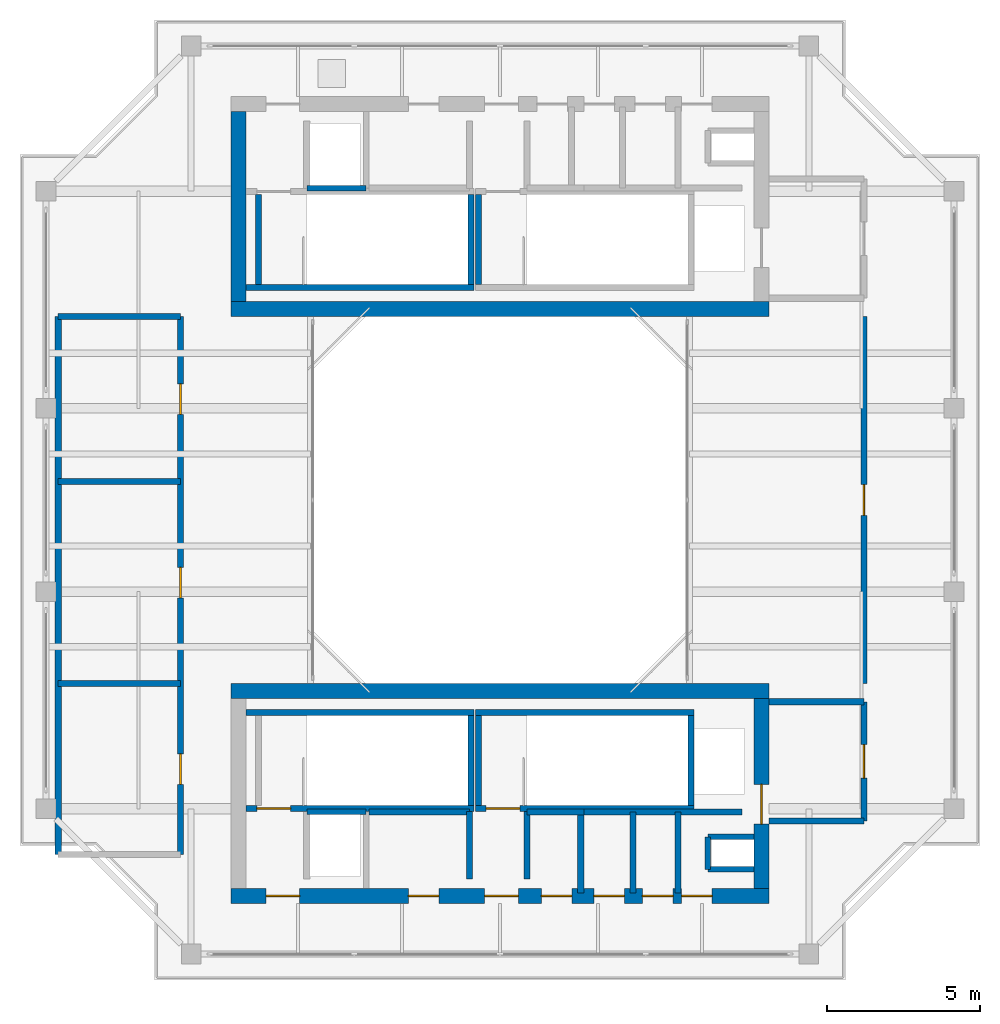
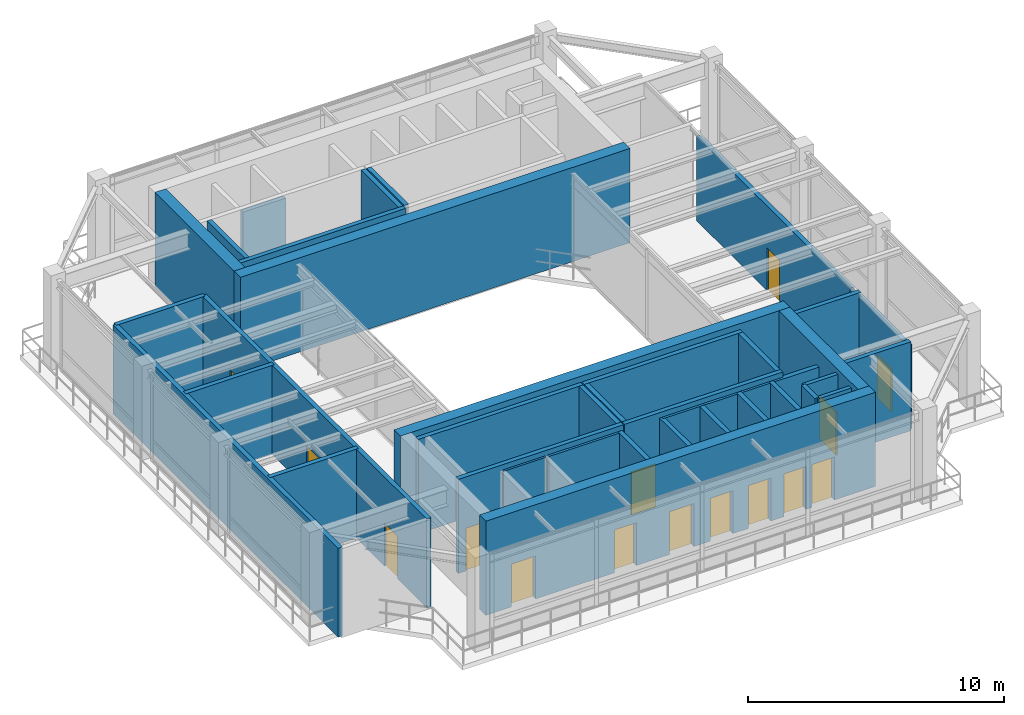
# One storey, part 7 of 9: 38 walls, 15 doors, 15 openings.
"""IFC4 building model written with IfcOpenShell, lengths in metres."""

from ifc_helpers import new_model, si_unit, direction, frame, frame_2d, origin, place, context, subcontext, project, spatial, rectangle, extrude, source, transform, mapped, material, layer, layer_set, type_object, element, fill, save


model = new_model("IFC4")

# Units and contexts
model_context = context("Model", 3, precision=1e-05, world=origin(), true_north=direction((0.0, 1.0)))
body_context = subcontext(model_context, "Body", "Model", "MODEL_VIEW")
ifc_project = project(units=[si_unit("LENGTHUNIT", "METRE"), si_unit("AREAUNIT", "SQUARE_METRE"), si_unit("VOLUMEUNIT", "CUBIC_METRE"), si_unit("PLANEANGLEUNIT", "RADIAN"), si_unit("MASSUNIT", "GRAM", prefix="KILO"), si_unit("THERMODYNAMICTEMPERATUREUNIT", "KELVIN"), si_unit("POWERUNIT", "WATT")], contexts=[model_context])

# Site, building, storey
site_placement = place(None, origin())
site = spatial("IfcSite", under=ifc_project, at=site_placement, CompositionType="ELEMENT")
building_placement = place(site_placement, origin())
building = spatial("IfcBuilding", under=site, at=building_placement, Name="Qiaomeng Ring Towers", CompositionType="ELEMENT")
storey_placement = place(building_placement, frame((0.0, 0.0, 263.25)))
storey = spatial("IfcBuildingStorey", under=building, at=storey_placement, Name="L77", CompositionType="ELEMENT", Elevation=263.25)

# Walls
ifc_material_1 = material(Name="Autoclaved aerated concrete block", Category="concrete")
ifc_layer_1 = layer(ifc_material_1, 0.199951171875, Name="Autoclaved aerated concrete block")
ifc_layer_set_1 = layer_set([ifc_layer_1], Name="Autoclaved aerated concrete block")
wall_type_1 = type_object("IfcWallType", Name="ARC-WL-PW1", PredefinedType="PARTITIONING", material=ifc_layer_set_1)
for number, where, z_axis, x_axis, name in (
    (1, (27.800048828125, 16.39990234375, 0.0), (0.0, 0.0, 1.0), (1.0, 0.0, 0.0), "L77 Interior Wall PW1"),
    (2, (27.800048828125, 12.5, 0.0), (0.0, 0.0, 1.0), (1.0, 0.0, 0.0), "L77 Interior Wall PW1"),
):
    element("IfcWall", number, at=place(storey_placement, frame(where, z_axis=z_axis, x_axis=x_axis)), inside=storey, type_object=wall_type_1, Name=name, PredefinedType="PARTITIONING", context=body_context, shape_type="SweptSolid", body=[
        extrude(rectangle(XDim=3.099853515625, YDim=0.199951171875, at=frame_2d((1.5498046875, 0.0))), origin(), (0.0, 0.0, 1.0), 4.25),
    ])

# Wall, opening, door
wall_1_placement = place(storey_placement, frame((30.89990234375, 12.5, 0.0), z_axis=(0.0, 0.0, 1.0), x_axis=(0.0, 1.0, 0.0)))
wall_1 = element("IfcWall", 3, at=wall_1_placement, inside=storey, type_object=wall_type_1, Name="L77 Interior Wall PW1", PredefinedType="PARTITIONING", context=body_context, shape_type="SweptSolid", body=[
    extrude(rectangle(XDim=3.89990234375, YDim=0.199951171875, at=frame_2d((1.949951171875, 0.0))), origin(), (0.0, 0.0, 1.0), 4.044921875),
])
opening_1_placement = place(wall_1_placement, frame((1.39990234375, 0.0, 0.0)))
opening_1 = element("IfcOpeningElement", 4, at=opening_1_placement, cuts=wall_1, Name="Opening FD3", PredefinedType="OPENING", context=body_context, shape_type="SweptSolid", body=[
    extrude(rectangle(XDim=1.10009765625, YDim=2.050048828125, at=frame_2d((0.550048828125, 1.02490234375))), frame((0.0, 0.10986328125, 0.0), z_axis=(0.0, -1.0, 0.0), x_axis=(1.0, 0.0, 0.0)), (0.0, 0.0, 1.0), 0.219970703125),
])
ifc_material_2 = material(Name="Galvanised steel", Category="steel")
door_type_1 = type_object("IfcDoorType", Name="ARC-DR-FD3", OperationType="NOTDEFINED", PredefinedType="DOOR", material=ifc_material_2)
shared_shape_1 = source(origin(), body_context, "Body", "SweptSolid", [
    extrude(rectangle(XDim=1.10009765625, YDim=2.050048828125, at=frame_2d((0.550048828125, 1.02490234375))), frame((0.0, 0.02490234375, 0.0), z_axis=(0.0, -1.0, 0.0), x_axis=(1.0, 0.0, 0.0)), (0.0, 0.0, 1.0), 0.050048828125),
])
door_1_placement = place(opening_1_placement, origin())
door_1 = element("IfcDoor", 5, at=door_1_placement, inside=storey, type_object=door_type_1, Name="L77 South FF Lobby Door", OperationType="SINGLE_SWING_RIGHT", OverallHeight=2.050048828125, OverallWidth=1.10009765625, PredefinedType="DOOR", context=body_context, shape_type="MappedRepresentation", body=[
    mapped(shared_shape_1, transform((0.0, 0.0, 0.0), x_axis=(1.0, 0.0, 0.0), y_axis=(0.0, 1.0, 0.0), z_axis=(0.0, 0.0, 1.0), scale=1.0)),
])
fill(opening_1, door_1)

# Walls
for number, where, z_axis, x_axis, name in (
    (6, (18.0, 10.60009765625, 0.0), (0.0, 0.0, 1.0), (0.0, 1.0, 0.0), "L77 Interior Wall PW1"),
    (7, (19.8798828125, 10.60009765625, 0.0), (0.0, 0.0, 1.0), (0.0, 1.0, 0.0), "L77 Interior Wall PW1"),
):
    element("IfcWall", number, at=place(storey_placement, frame(where, z_axis=z_axis, x_axis=x_axis)), inside=storey, type_object=wall_type_1, Name=name, PredefinedType="PARTITIONING", context=body_context, shape_type="SweptSolid", body=[
        extrude(rectangle(XDim=2.2099609375, YDim=0.199951171875, at=frame_2d((1.10498046875, 0.0))), origin(), (0.0, 0.0, 1.0), 4.25),
    ])
wall_2_placement = place(storey_placement, frame((14.719970703125, 12.800048828125, 0.0), z_axis=(0.0, 0.0, 1.0), x_axis=(1.0, 0.0, 0.0)))
element("IfcWall", 8, at=wall_2_placement, inside=storey, type_object=wall_type_1, Name="L77 Interior Wall PW1", PredefinedType="PARTITIONING", context=body_context, shape_type="SweptSolid", body=[
    extrude(rectangle(XDim=3.280029296875, YDim=0.199951171875, at=frame_2d((1.64013671875, 0.0))), origin(), (0.0, 0.0, 1.0), 4.25),
])
wall_3_placement = place(storey_placement, frame((24.820068359375, 10.14990234375, 0.0), z_axis=(0.0, 0.0, 1.0), x_axis=(0.0, 1.0, 0.0)))
element("IfcWall", 9, at=wall_3_placement, inside=storey, type_object=wall_type_1, Name="L77 Interior Wall PW1", PredefinedType="PARTITIONING", context=body_context, shape_type="SweptSolid", body=[
    extrude(rectangle(XDim=2.650146484375, YDim=0.199951171875, at=frame_2d((1.3251953125, 0.0))), origin(), (0.0, 0.0, 1.0), 4.25),
])
wall_4_placement = place(storey_placement, frame((19.8798828125, 12.800048828125, 0.0), z_axis=(0.0, 0.0, 1.0), x_axis=(1.0, 0.0, 0.0)))
element("IfcWall", 10, at=wall_4_placement, inside=storey, type_object=wall_type_1, Name="L77 Interior Wall PW1", PredefinedType="PARTITIONING", context=body_context, shape_type="SweptSolid", body=[
    extrude(rectangle(XDim=1.8701171875, YDim=0.199951171875, at=frame_2d((0.93505859375, 0.0))), origin(), (0.0, 0.0, 1.0), 4.25),
])
for number, where, z_axis, x_axis, name in (
    (11, (21.639892578125, 10.14990234375, 0.0), (0.0, 0.0, 1.0), (0.0, 1.0, 0.0), "L77 Interior Wall PW1"),
    (12, (23.35009765625, 10.14990234375, 0.0), (0.0, 0.0, 1.0), (0.0, 1.0, 0.0), "L77 Interior Wall PW1"),
):
    element("IfcWall", number, at=place(storey_placement, frame(where, z_axis=z_axis, x_axis=x_axis)), inside=storey, type_object=wall_type_1, Name=name, PredefinedType="PARTITIONING", context=body_context, shape_type="SweptSolid", body=[
        extrude(rectangle(XDim=2.650146484375, YDim=0.199951171875, at=frame_2d((1.3251953125, 0.0))), origin(), (0.0, 0.0, 1.0), 4.25),
    ])
wall_5_placement = place(storey_placement, frame((21.75, 12.800048828125, 0.0), z_axis=(0.0, 0.0, 1.0), x_axis=(1.0, 0.0, 0.0)))
element("IfcWall", 13, at=wall_5_placement, inside=storey, type_object=wall_type_1, Name="L77 Interior Wall PW1", PredefinedType="PARTITIONING", context=body_context, shape_type="SweptSolid", body=[
    extrude(rectangle(XDim=5.169921875, YDim=0.199951171875, at=frame_2d((2.5849609375, 0.0))), origin(), (0.0, 0.0, 1.0), 4.25),
])

# Wall, openings, doors
wall_6_placement = place(storey_placement, frame((8.550048828125, 11.39990234375, 0.0), z_axis=(0.0, 0.0, 1.0), x_axis=(0.0, 1.0, 0.0)))
wall_6 = element("IfcWall", 14, at=wall_6_placement, inside=storey, type_object=wall_type_1, Name="L77 Interior Wall PW1", PredefinedType="PARTITIONING", context=body_context, shape_type="SweptSolid", body=[
    extrude(rectangle(XDim=17.60009765625, YDim=0.199951171875, at=frame_2d((8.800048828125, 0.0))), origin(), (0.0, 0.0, 1.0), 4.25),
])
opening_2_placement = place(wall_6_placement, frame((8.39990234375, 0.0, 0.0)))
opening_2 = element("IfcOpeningElement", 15, at=opening_2_placement, cuts=wall_6, Name="Opening FD1", PredefinedType="OPENING", context=body_context, shape_type="SweptSolid", body=[
    extrude(rectangle(XDim=1.0, YDim=2.050048828125, at=frame_2d((0.5, 1.02490234375))), frame((0.0, 0.10986328125, 0.0), z_axis=(0.0, -1.0, 0.0), x_axis=(1.0, 0.0, 0.0)), (0.0, 0.0, 1.0), 0.219970703125),
])
opening_3_placement = place(wall_6_placement, frame((14.39990234375, 0.0, 0.0)))
opening_3 = element("IfcOpeningElement", 16, at=opening_3_placement, cuts=wall_6, Name="Opening FD1", PredefinedType="OPENING", context=body_context, shape_type="SweptSolid", body=[
    extrude(rectangle(XDim=1.0, YDim=2.050048828125, at=frame_2d((0.5, 1.02490234375))), frame((0.0, 0.10986328125, 0.0), z_axis=(0.0, -1.0, 0.0), x_axis=(1.0, 0.0, 0.0)), (0.0, 0.0, 1.0), 0.219970703125),
])
opening_4_placement = place(wall_6_placement, frame((2.300048828125, 0.0, 0.0)))
opening_4 = element("IfcOpeningElement", 17, at=opening_4_placement, cuts=wall_6, Name="Opening FD1", PredefinedType="OPENING", context=body_context, shape_type="SweptSolid", body=[
    extrude(rectangle(XDim=1.0, YDim=2.050048828125, at=frame_2d((0.5, 1.02490234375))), frame((0.0, 0.10986328125, 0.0), z_axis=(0.0, -1.0, 0.0), x_axis=(1.0, 0.0, 0.0)), (0.0, 0.0, 1.0), 0.219970703125),
])
door_type_2 = type_object("IfcDoorType", Name="ARC-DR-FD1", OperationType="NOTDEFINED", PredefinedType="DOOR", material=ifc_material_2)
shared_shape_2 = source(origin(), body_context, "Body", "SweptSolid", [
    extrude(rectangle(XDim=1.0, YDim=2.050048828125, at=frame_2d((0.5, 1.02490234375))), frame((0.0, 0.02490234375, 0.0), z_axis=(0.0, -1.0, 0.0), x_axis=(1.0, 0.0, 0.0)), (0.0, 0.0, 1.0), 0.050048828125),
])
door_2_placement = place(opening_2_placement, origin())
door_2 = element("IfcDoor", 18, at=door_2_placement, inside=storey, type_object=door_type_2, Name="L77 Door FD1", OperationType="SINGLE_SWING_LEFT", OverallHeight=2.050048828125, OverallWidth=1.0, PredefinedType="DOOR", context=body_context, shape_type="MappedRepresentation", body=[
    mapped(shared_shape_2, transform((0.0, 0.0, 0.0), x_axis=(1.0, 0.0, 0.0), y_axis=(0.0, 1.0, 0.0), z_axis=(0.0, 0.0, 1.0), scale=1.0)),
])
fill(opening_2, door_2)
door_3_placement = place(opening_3_placement, origin())
door_3 = element("IfcDoor", 19, at=door_3_placement, inside=storey, type_object=door_type_2, Name="L77 Door FD1", OperationType="SINGLE_SWING_RIGHT", OverallHeight=2.050048828125, OverallWidth=1.0, PredefinedType="DOOR", context=body_context, shape_type="MappedRepresentation", body=[
    mapped(shared_shape_2, transform((0.0, 0.0, 0.0), x_axis=(1.0, 0.0, 0.0), y_axis=(0.0, 1.0, 0.0), z_axis=(0.0, 0.0, 1.0), scale=1.0)),
])
fill(opening_3, door_3)
door_4_placement = place(opening_4_placement, origin())
door_4 = element("IfcDoor", 20, at=door_4_placement, inside=storey, type_object=door_type_2, Name="L77 Door FD1", OperationType="SINGLE_SWING_LEFT", OverallHeight=2.050048828125, OverallWidth=1.0, PredefinedType="DOOR", context=body_context, shape_type="MappedRepresentation", body=[
    mapped(shared_shape_2, transform((0.0, 0.0, 0.0), x_axis=(1.0, 0.0, 0.0), y_axis=(0.0, 1.0, 0.0), z_axis=(0.0, 0.0, 1.0), scale=1.0)),
])
fill(opening_4, door_4)

# Walls
for number, where, z_axis, x_axis, name in (
    (21, (4.550048828125, 17.0, 0.0), (0.0, 0.0, 1.0), (1.0, 0.0, 0.0), "L77 Interior Wall PW1"),
    (22, (4.550048828125, 23.60009765625, 0.0), (0.0, 0.0, 1.0), (1.0, 0.0, 0.0), "L77 Interior Wall PW1"),
    (23, (4.550048828125, 29.0, 0.0), (0.0, 0.0, 1.0), (1.0, 0.0, 0.0), "L77 Interior Wall PW1"),
):
    element("IfcWall", number, at=place(storey_placement, frame(where, z_axis=z_axis, x_axis=x_axis)), inside=storey, type_object=wall_type_1, Name=name, PredefinedType="PARTITIONING", context=body_context, shape_type="SweptSolid", body=[
        extrude(rectangle(XDim=4.0, YDim=0.199951171875, at=frame_2d((2.0, 0.0))), origin(), (0.0, 0.0, 1.0), 4.25),
    ])
wall_7_placement = place(storey_placement, frame((4.550048828125, 11.39990234375, 0.0), z_axis=(0.0, 0.0, 1.0), x_axis=(0.0, 1.0, 0.0)))
element("IfcWall", 24, at=wall_7_placement, inside=storey, type_object=wall_type_1, Name="L77 Interior Wall PW1", PredefinedType="PARTITIONING", context=body_context, shape_type="SweptSolid", body=[
    extrude(rectangle(XDim=17.60009765625, YDim=0.199951171875, at=frame_2d((8.800048828125, 0.0))), origin(), (0.0, 0.0, 1.0), 4.25),
])

# Wall, opening, door
wall_8_placement = place(storey_placement, frame((30.89990234375, 17.0, 0.0), z_axis=(0.0, 0.0, 1.0), x_axis=(0.0, 1.0, 0.0)))
wall_8 = element("IfcWall", 25, at=wall_8_placement, inside=storey, type_object=wall_type_1, Name="L77 Interior Wall PW1", PredefinedType="PARTITIONING", context=body_context, shape_type="SweptSolid", body=[
    extrude(rectangle(XDim=12.0, YDim=0.199951171875, at=frame_2d((6.0, 0.0))), origin(), (0.0, 0.0, 1.0), 4.044921875),
])
opening_5_placement = place(wall_8_placement, frame((5.5, 0.0, 0.0)))
opening_5 = element("IfcOpeningElement", 26, at=opening_5_placement, cuts=wall_8, Name="Opening FD1", PredefinedType="OPENING", context=body_context, shape_type="SweptSolid", body=[
    extrude(rectangle(XDim=1.0, YDim=2.050048828125, at=frame_2d((0.5, 1.02490234375))), frame((0.0, 0.10986328125, 0.0), z_axis=(0.0, -1.0, 0.0), x_axis=(1.0, 0.0, 0.0)), (0.0, 0.0, 1.0), 0.219970703125),
])
door_5_placement = place(opening_5_placement, origin())
door_5 = element("IfcDoor", 27, at=door_5_placement, inside=storey, type_object=door_type_2, Name="L77 Door FD1", OperationType="SINGLE_SWING_RIGHT", OverallHeight=2.050048828125, OverallWidth=1.0, PredefinedType="DOOR", context=body_context, shape_type="MappedRepresentation", body=[
    mapped(shared_shape_2, transform((0.0, 0.0, 0.0), x_axis=(1.0, 0.0, 0.0), y_axis=(0.0, 1.0, 0.0), z_axis=(0.0, 0.0, 1.0), scale=1.0)),
])
fill(opening_5, door_5)

# Walls
ifc_material_3 = material(Name="Concrete C40", Category="concrete")
ifc_layer_2 = layer(ifc_material_3, 0.199951171875, Name="Concrete C40")
ifc_layer_set_2 = layer_set([ifc_layer_2], Name="Concrete C40")
wall_type_2 = type_object("IfcWallType", Name="STR-WL-STSHAFT", PredefinedType="SHEAR", material=ifc_layer_set_2)
for number, where, z_axis, x_axis, name in (
    (28, (12.679931640625, 33.199951171875, 0.0), (0.0, 0.0, 1.0), (1.0, 0.0, 0.0), "L77 Lift LP5 Shaft Back Wall"),
    (29, (12.679931640625, 12.800048828125, 0.0), (0.0, 0.0, 1.0), (1.0, 0.0, 0.0), "L77 Lift LP6 Shaft Back Wall"),
):
    element("IfcWall", number, at=place(storey_placement, frame(where, z_axis=z_axis, x_axis=x_axis)), inside=storey, type_object=wall_type_2, Name=name, PredefinedType="SHEAR", context=body_context, shape_type="SweptSolid", body=[
        extrude(rectangle(XDim=1.940185546875, YDim=0.179931640625, at=frame_2d((0.97021484375, 0.0))), origin(), (0.0, 0.0, 1.0), 4.25),
    ])
wall_9_placement = place(storey_placement, frame((25.800048828125, 10.919921875, 0.0), z_axis=(0.0, 0.0, 1.0), x_axis=(0.0, 1.0, 0.0)))
element("IfcWall", 30, at=wall_9_placement, inside=storey, type_object=wall_type_2, Name="L77 Riser RSR1 West Shaft Wall S", PredefinedType="SHEAR", context=body_context, shape_type="SweptSolid", body=[
    extrude(rectangle(XDim=1.06005859375, YDim=0.179931640625, at=frame_2d((0.530029296875, 0.0))), origin(), (0.0, 0.0, 1.0), 4.25),
])
for number, where, z_axis, x_axis, name in (
    (31, (25.800048828125, 11.97998046875, 0.0), (0.0, 0.0, 1.0), (1.0, 0.0, 0.0), "L77 Riser RSR1 North Shaft Wall S"),
    (32, (25.800048828125, 10.919921875, 0.0), (0.0, 0.0, 1.0), (1.0, 0.0, 0.0), "L77 Riser RSR1 South Shaft Wall S"),
):
    element("IfcWall", number, at=place(storey_placement, frame(where, z_axis=z_axis, x_axis=x_axis)), inside=storey, type_object=wall_type_2, Name=name, PredefinedType="SHEAR", context=body_context, shape_type="SweptSolid", body=[
        extrude(rectangle(XDim=1.5, YDim=0.179931640625, at=frame_2d((0.75, 0.0))), origin(), (0.0, 0.0, 1.0), 4.25),
    ])
wall_10_placement = place(storey_placement, frame((10.699951171875, 29.949951171875, 0.0), z_axis=(0.0, 0.0, 1.0), x_axis=(1.0, 0.0, 0.0)))
element("IfcWall", 33, at=wall_10_placement, inside=storey, type_object=wall_type_2, Name="L77 Stair ST1 South Shaft Shear Wall", PredefinedType="SHEAR", context=body_context, shape_type="SweptSolid", body=[
    extrude(rectangle(XDim=7.449951171875, YDim=0.199951171875, at=frame_2d((3.72509765625, 0.0))), origin(), (0.0, 0.0, 1.0), 4.5),
])
for number, where, z_axis, x_axis, name in (
    (34, (11.10009765625, 30.050048828125, 0.0), (0.0, 0.0, 1.0), (0.0, 1.0, 0.0), "L77 Stair ST1 West Shaft Shear Wall"),
    (35, (18.050048828125, 30.050048828125, 0.0), (0.0, 0.0, 1.0), (0.0, 1.0, 0.0), "L77 Stair ST1 East Shaft Shear Wall"),
    (36, (18.300048828125, 30.050048828125, 0.0), (0.0, 0.0, 1.0), (0.0, 1.0, 0.0), "L77 Stair ST2 West Shaft Shear Wall"),
):
    element("IfcWall", number, at=place(storey_placement, frame(where, z_axis=z_axis, x_axis=x_axis)), inside=storey, type_object=wall_type_2, Name=name, PredefinedType="SHEAR", context=body_context, shape_type="SweptSolid", body=[
        extrude(rectangle(XDim=2.93994140625, YDim=0.199951171875, at=frame_2d((1.469970703125, 0.0))), origin(), (0.0, 0.0, 1.0), 4.5),
    ])

# Wall, opening, door
wall_11_placement = place(storey_placement, frame((10.699951171875, 12.909912109375, 0.0), z_axis=(0.0, 0.0, 1.0), x_axis=(1.0, 0.0, 0.0)))
wall_11 = element("IfcWall", 37, at=wall_11_placement, inside=storey, type_object=wall_type_2, Name="L77 Stair ST3 South Shaft Shear Wall", PredefinedType="SHEAR", context=body_context, shape_type="SweptSolid", body=[
    extrude(rectangle(XDim=7.449951171875, YDim=0.199951171875, at=frame_2d((3.72509765625, 0.0))), origin(), (0.0, 0.0, 1.0), 4.5),
])
opening_6_placement = place(wall_11_placement, frame((0.35009765625, 0.0, 0.0)))
opening_6 = element("IfcOpeningElement", 38, at=opening_6_placement, cuts=wall_11, Name="Opening FD3", PredefinedType="OPENING", context=body_context, shape_type="SweptSolid", body=[
    extrude(rectangle(XDim=1.10009765625, YDim=2.050048828125, at=frame_2d((0.550048828125, 1.02490234375))), frame((0.0, 0.10986328125, 0.0), z_axis=(0.0, -1.0, 0.0), x_axis=(1.0, 0.0, 0.0)), (0.0, 0.0, 1.0), 0.219970703125),
])
door_6_placement = place(opening_6_placement, frame((1.10009765625, 0.0, 0.0), z_axis=(0.0, 0.0, 1.0), x_axis=(-1.0, 0.0, 0.0)))
door_6 = element("IfcDoor", 39, at=door_6_placement, inside=storey, type_object=door_type_1, Name="L77 Stair ST3 Exit Door", OperationType="SINGLE_SWING_RIGHT", OverallHeight=2.050048828125, OverallWidth=1.10009765625, PredefinedType="DOOR", context=body_context, shape_type="MappedRepresentation", body=[
    mapped(shared_shape_1, transform((0.0, 0.0, 0.0), x_axis=(1.0, 0.0, 0.0), y_axis=(0.0, 1.0, 0.0), z_axis=(0.0, 0.0, 1.0), scale=1.0)),
])
fill(opening_6, door_6)

# Walls
wall_12_placement = place(storey_placement, frame((10.699951171875, 16.050048828125, 0.0), z_axis=(0.0, 0.0, 1.0), x_axis=(1.0, 0.0, 0.0)))
element("IfcWall", 40, at=wall_12_placement, inside=storey, type_object=wall_type_2, Name="L77 Stair ST3 North Shaft Shear Wall", PredefinedType="SHEAR", context=body_context, shape_type="SweptSolid", body=[
    extrude(rectangle(XDim=7.449951171875, YDim=0.199951171875, at=frame_2d((3.72509765625, 0.0))), origin(), (0.0, 0.0, 1.0), 4.5),
])
wall_13_placement = place(storey_placement, frame((18.050048828125, 13.010009765625, 0.0), z_axis=(0.0, 0.0, 1.0), x_axis=(0.0, 1.0, 0.0)))
element("IfcWall", 41, at=wall_13_placement, inside=storey, type_object=wall_type_2, Name="L77 Stair ST3 East Shaft Shear Wall", PredefinedType="SHEAR", context=body_context, shape_type="SweptSolid", body=[
    extrude(rectangle(XDim=2.93994140625, YDim=0.199951171875, at=frame_2d((1.469970703125, 0.0))), origin(), (0.0, 0.0, 1.0), 4.5),
])

# Wall, opening, door
wall_14_placement = place(storey_placement, frame((18.199951171875, 12.909912109375, 0.0), z_axis=(0.0, 0.0, 1.0), x_axis=(1.0, 0.0, 0.0)))
wall_14 = element("IfcWall", 42, at=wall_14_placement, inside=storey, type_object=wall_type_2, Name="L77 Stair ST4 South Shaft Shear Wall", PredefinedType="SHEAR", context=body_context, shape_type="SweptSolid", body=[
    extrude(rectangle(XDim=7.150146484375, YDim=0.199951171875, at=frame_2d((3.5751953125, 0.0))), origin(), (0.0, 0.0, 1.0), 4.5),
])
opening_7_placement = place(wall_14_placement, frame((0.35009765625, 0.0, 0.0)))
opening_7 = element("IfcOpeningElement", 43, at=opening_7_placement, cuts=wall_14, Name="Opening FD3", PredefinedType="OPENING", context=body_context, shape_type="SweptSolid", body=[
    extrude(rectangle(XDim=1.10009765625, YDim=2.050048828125, at=frame_2d((0.550048828125, 1.02490234375))), frame((0.0, 0.10986328125, 0.0), z_axis=(0.0, -1.0, 0.0), x_axis=(1.0, 0.0, 0.0)), (0.0, 0.0, 1.0), 0.219970703125),
])
door_7_placement = place(opening_7_placement, frame((1.10009765625, 0.0, 0.0), z_axis=(0.0, 0.0, 1.0), x_axis=(-1.0, 0.0, 0.0)))
door_7 = element("IfcDoor", 44, at=door_7_placement, inside=storey, type_object=door_type_1, Name="L77 Stair ST4 Exit Door", OperationType="SINGLE_SWING_RIGHT", OverallHeight=2.050048828125, OverallWidth=1.10009765625, PredefinedType="DOOR", context=body_context, shape_type="MappedRepresentation", body=[
    mapped(shared_shape_1, transform((0.0, 0.0, 0.0), x_axis=(1.0, 0.0, 0.0), y_axis=(0.0, 1.0, 0.0), z_axis=(0.0, 0.0, 1.0), scale=1.0)),
])
fill(opening_7, door_7)

# Walls
wall_15_placement = place(storey_placement, frame((18.199951171875, 16.050048828125, 0.0), z_axis=(0.0, 0.0, 1.0), x_axis=(1.0, 0.0, 0.0)))
element("IfcWall", 45, at=wall_15_placement, inside=storey, type_object=wall_type_2, Name="L77 Stair ST4 North Shaft Shear Wall", PredefinedType="SHEAR", context=body_context, shape_type="SweptSolid", body=[
    extrude(rectangle(XDim=7.150146484375, YDim=0.199951171875, at=frame_2d((3.5751953125, 0.0))), origin(), (0.0, 0.0, 1.0), 4.5),
])
for number, where, z_axis, x_axis, name in (
    (46, (18.300048828125, 13.010009765625, 0.0), (0.0, 0.0, 1.0), (0.0, 1.0, 0.0), "L77 Stair ST4 West Shaft Shear Wall"),
    (47, (25.25, 13.010009765625, 0.0), (0.0, 0.0, 1.0), (0.0, 1.0, 0.0), "L77 Stair ST4 East Shaft Shear Wall"),
):
    element("IfcWall", number, at=place(storey_placement, frame(where, z_axis=z_axis, x_axis=x_axis)), inside=storey, type_object=wall_type_2, Name=name, PredefinedType="SHEAR", context=body_context, shape_type="SweptSolid", body=[
        extrude(rectangle(XDim=2.93994140625, YDim=0.199951171875, at=frame_2d((1.469970703125, 0.0))), origin(), (0.0, 0.0, 1.0), 4.5),
    ])
ifc_layer_3 = layer(ifc_material_3, 0.5, Name="Concrete C40")
ifc_layer_set_3 = layer_set([ifc_layer_3], Name="Concrete C40")
wall_type_3 = type_object("IfcWallType", Name="STR-WL-SW3", PredefinedType="SHEAR", material=ifc_layer_set_3)
wall_16_placement = place(storey_placement, frame((10.199951171875, 29.25, 0.0), z_axis=(0.0, 0.0, 1.0), x_axis=(1.0, 0.0, 0.0)))
element("IfcWall", 48, at=wall_16_placement, inside=storey, type_object=wall_type_3, Name="L77 T1NC south core shear wall", PredefinedType="SHEAR", context=body_context, shape_type="SweptSolid", body=[
    extrude(rectangle(XDim=17.60009765625, YDim=0.5, at=frame_2d((8.800048828125, 0.0))), origin(), (0.0, 0.0, 1.0), 4.5),
])
wall_17_placement = place(storey_placement, frame((10.449951171875, 29.5, 0.0), z_axis=(0.0, 0.0, 1.0), x_axis=(0.0, 1.0, 0.0)))
element("IfcWall", 49, at=wall_17_placement, inside=storey, type_object=wall_type_3, Name="L77 T1NC west core shear wall", PredefinedType="SHEAR", context=body_context, shape_type="SweptSolid", body=[
    extrude(rectangle(XDim=6.199951171875, YDim=0.5, at=frame_2d((3.10009765625, 0.0))), origin(), (0.0, 0.0, 1.0), 4.5),
])

# Wall, openings, doors
wall_18_placement = place(storey_placement, frame((10.199951171875, 10.050048828125, 0.0), z_axis=(0.0, 0.0, 1.0), x_axis=(1.0, 0.0, 0.0)))
wall_18 = element("IfcWall", 50, at=wall_18_placement, inside=storey, type_object=wall_type_3, Name="L77 T1SC south core shear wall", PredefinedType="SHEAR", context=body_context, shape_type="SweptSolid", body=[
    extrude(rectangle(XDim=17.60009765625, YDim=0.5, at=frame_2d((8.800048828125, 0.0))), origin(), (0.0, 0.0, 1.0), 4.5),
])
opening_8_placement = place(wall_18_placement, frame((1.14990234375, 0.0, 0.0)))
opening_8 = element("IfcOpeningElement", 51, at=opening_8_placement, cuts=wall_18, Name="Opening FD3", PredefinedType="OPENING", context=body_context, shape_type="SweptSolid", body=[
    extrude(rectangle(XDim=1.10009765625, YDim=2.050048828125, at=frame_2d((0.550048828125, 1.02490234375))), frame((0.0, 0.260009765625, 0.0), z_axis=(0.0, -1.0, 0.0), x_axis=(1.0, 0.0, 0.0)), (0.0, 0.0, 1.0), 0.52001953125),
])
opening_9_placement = place(wall_18_placement, frame((8.300048828125, 0.0, 0.0)))
opening_9 = element("IfcOpeningElement", 52, at=opening_9_placement, cuts=wall_18, Name="Opening FD3", PredefinedType="OPENING", context=body_context, shape_type="SweptSolid", body=[
    extrude(rectangle(XDim=1.10009765625, YDim=2.050048828125, at=frame_2d((0.550048828125, 1.02490234375))), frame((0.0, 0.260009765625, 0.0), z_axis=(0.0, -1.0, 0.0), x_axis=(1.0, 0.0, 0.0)), (0.0, 0.0, 1.0), 0.52001953125),
])
opening_10_placement = place(wall_18_placement, frame((5.800048828125, 0.0, 0.0)))
opening_10 = element("IfcOpeningElement", 53, at=opening_10_placement, cuts=wall_18, Name="Opening FD1", PredefinedType="OPENING", context=body_context, shape_type="SweptSolid", body=[
    extrude(rectangle(XDim=1.0, YDim=2.050048828125, at=frame_2d((0.5, 1.02490234375))), frame((0.0, 0.260009765625, 0.0), z_axis=(0.0, -1.0, 0.0), x_axis=(1.0, 0.0, 0.0)), (0.0, 0.0, 1.0), 0.52001953125),
])
opening_11_placement = place(wall_18_placement, frame((14.739990234375, 0.0, 0.0)))
opening_11 = element("IfcOpeningElement", 54, at=opening_11_placement, cuts=wall_18, Name="Opening FD1", PredefinedType="OPENING", context=body_context, shape_type="SweptSolid", body=[
    extrude(rectangle(XDim=1.0, YDim=2.050048828125, at=frame_2d((0.5, 1.02490234375))), frame((0.0, 0.260009765625, 0.0), z_axis=(0.0, -1.0, 0.0), x_axis=(1.0, 0.0, 0.0)), (0.0, 0.0, 1.0), 0.52001953125),
])
opening_12_placement = place(wall_18_placement, frame((10.155029296875, 0.0, 0.0)))
opening_12 = element("IfcOpeningElement", 55, at=opening_12_placement, cuts=wall_18, Name="Opening FD1", PredefinedType="OPENING", context=body_context, shape_type="SweptSolid", body=[
    extrude(rectangle(XDim=1.0, YDim=2.050048828125, at=frame_2d((0.5, 1.02490234375))), frame((0.0, 0.260009765625, 0.0), z_axis=(0.0, -1.0, 0.0), x_axis=(1.0, 0.0, 0.0)), (0.0, 0.0, 1.0), 0.52001953125),
])
opening_13_placement = place(wall_18_placement, frame((11.8701171875, 0.0, 0.0)))
opening_13 = element("IfcOpeningElement", 56, at=opening_13_placement, cuts=wall_18, Name="Opening FD1", PredefinedType="OPENING", context=body_context, shape_type="SweptSolid", body=[
    extrude(rectangle(XDim=1.0, YDim=2.050048828125, at=frame_2d((0.5, 1.02490234375))), frame((0.0, 0.260009765625, 0.0), z_axis=(0.0, -1.0, 0.0), x_axis=(1.0, 0.0, 0.0)), (0.0, 0.0, 1.0), 0.52001953125),
])
opening_14_placement = place(wall_18_placement, frame((13.4599609375, 0.0, 0.0)))
opening_14 = element("IfcOpeningElement", 57, at=opening_14_placement, cuts=wall_18, Name="Opening FD1", PredefinedType="OPENING", context=body_context, shape_type="SweptSolid", body=[
    extrude(rectangle(XDim=1.0, YDim=2.050048828125, at=frame_2d((0.5, 1.02490234375))), frame((0.0, 0.260009765625, 0.0), z_axis=(0.0, -1.0, 0.0), x_axis=(1.0, 0.0, 0.0)), (0.0, 0.0, 1.0), 0.52001953125),
])
door_8_placement = place(opening_8_placement, origin())
door_8 = element("IfcDoor", 58, at=door_8_placement, inside=storey, type_object=door_type_1, Name="L77 Stair ST3 Lobby Door", OperationType="SINGLE_SWING_LEFT", OverallHeight=2.050048828125, OverallWidth=1.10009765625, PredefinedType="DOOR", context=body_context, shape_type="MappedRepresentation", body=[
    mapped(shared_shape_1, transform((0.0, 0.0, 0.0), x_axis=(1.0, 0.0, 0.0), y_axis=(0.0, 1.0, 0.0), z_axis=(0.0, 0.0, 1.0), scale=1.0)),
])
fill(opening_8, door_8)
door_9_placement = place(opening_9_placement, origin())
door_9 = element("IfcDoor", 59, at=door_9_placement, inside=storey, type_object=door_type_1, Name="L77 Stair ST4 Lobby Door", OperationType="SINGLE_SWING_LEFT", OverallHeight=2.050048828125, OverallWidth=1.10009765625, PredefinedType="DOOR", context=body_context, shape_type="MappedRepresentation", body=[
    mapped(shared_shape_1, transform((0.0, 0.0, 0.0), x_axis=(1.0, 0.0, 0.0), y_axis=(0.0, 1.0, 0.0), z_axis=(0.0, 0.0, 1.0), scale=1.0)),
])
fill(opening_9, door_9)
door_10_placement = place(opening_10_placement, origin())
door_10 = element("IfcDoor", 60, at=door_10_placement, inside=storey, type_object=door_type_2, Name="L77 High-Zone Freed Core Room Door", OperationType="SINGLE_SWING_RIGHT", OverallHeight=2.050048828125, OverallWidth=1.0, PredefinedType="DOOR", context=body_context, shape_type="MappedRepresentation", body=[
    mapped(shared_shape_2, transform((0.0, 0.0, 0.0), x_axis=(1.0, 0.0, 0.0), y_axis=(0.0, 1.0, 0.0), z_axis=(0.0, 0.0, 1.0), scale=1.0)),
])
fill(opening_10, door_10)
door_11_placement = place(opening_11_placement, origin())
door_11 = element("IfcDoor", 61, at=door_11_placement, inside=storey, type_object=door_type_2, Name="L77 South Electrical Riser Door", OperationType="SINGLE_SWING_RIGHT", OverallHeight=2.050048828125, OverallWidth=1.0, PredefinedType="DOOR", context=body_context, shape_type="MappedRepresentation", body=[
    mapped(shared_shape_2, transform((0.0, 0.0, 0.0), x_axis=(1.0, 0.0, 0.0), y_axis=(0.0, 1.0, 0.0), z_axis=(0.0, 0.0, 1.0), scale=1.0)),
])
fill(opening_11, door_11)
door_12_placement = place(opening_12_placement, origin())
door_12 = element("IfcDoor", 62, at=door_12_placement, inside=storey, type_object=door_type_2, Name="L77 South Break Lounge Door", OperationType="SINGLE_SWING_RIGHT", OverallHeight=2.050048828125, OverallWidth=1.0, PredefinedType="DOOR", context=body_context, shape_type="MappedRepresentation", body=[
    mapped(shared_shape_2, transform((0.0, 0.0, 0.0), x_axis=(1.0, 0.0, 0.0), y_axis=(0.0, 1.0, 0.0), z_axis=(0.0, 0.0, 1.0), scale=1.0)),
])
fill(opening_12, door_12)
door_13_placement = place(opening_13_placement, origin())
door_13 = element("IfcDoor", 63, at=door_13_placement, inside=storey, type_object=door_type_2, Name="L77 South Consultation Study Door", OperationType="SINGLE_SWING_LEFT", OverallHeight=2.050048828125, OverallWidth=1.0, PredefinedType="DOOR", context=body_context, shape_type="MappedRepresentation", body=[
    mapped(shared_shape_2, transform((0.0, 0.0, 0.0), x_axis=(1.0, 0.0, 0.0), y_axis=(0.0, 1.0, 0.0), z_axis=(0.0, 0.0, 1.0), scale=1.0)),
])
fill(opening_13, door_13)
door_14_placement = place(opening_14_placement, origin())
door_14 = element("IfcDoor", 64, at=door_14_placement, inside=storey, type_object=door_type_2, Name="L77 South Tea Pantry Door", OperationType="SINGLE_SWING_RIGHT", OverallHeight=2.050048828125, OverallWidth=1.0, PredefinedType="DOOR", context=body_context, shape_type="MappedRepresentation", body=[
    mapped(shared_shape_2, transform((0.0, 0.0, 0.0), x_axis=(1.0, 0.0, 0.0), y_axis=(0.0, 1.0, 0.0), z_axis=(0.0, 0.0, 1.0), scale=1.0)),
])
fill(opening_14, door_14)

# Wall
wall_19_placement = place(storey_placement, frame((10.199951171875, 16.75, 0.0), z_axis=(0.0, 0.0, 1.0), x_axis=(1.0, 0.0, 0.0)))
element("IfcWall", 65, at=wall_19_placement, inside=storey, type_object=wall_type_3, Name="L77 T1SC north core shear wall", PredefinedType="SHEAR", context=body_context, shape_type="SweptSolid", body=[
    extrude(rectangle(XDim=17.60009765625, YDim=0.5, at=frame_2d((8.800048828125, 0.0))), origin(), (0.0, 0.0, 1.0), 4.5),
])

# Wall, opening, door
wall_20_placement = place(storey_placement, frame((27.550048828125, 10.300048828125, 0.0), z_axis=(0.0, 0.0, 1.0), x_axis=(0.0, 1.0, 0.0)))
wall_20 = element("IfcWall", 66, at=wall_20_placement, inside=storey, type_object=wall_type_3, Name="L77 T1SC east core shear wall", PredefinedType="SHEAR", context=body_context, shape_type="SweptSolid", body=[
    extrude(rectangle(XDim=6.199951171875, YDim=0.5, at=frame_2d((3.10009765625, 0.0))), origin(), (0.0, 0.0, 1.0), 4.5),
])
opening_15_placement = place(wall_20_placement, frame((2.10009765625, 0.0, 0.0)))
opening_15 = element("IfcOpeningElement", 67, at=opening_15_placement, cuts=wall_20, Name="Opening LD2", PredefinedType="OPENING", context=body_context, shape_type="SweptSolid", body=[
    extrude(rectangle(XDim=1.300048828125, YDim=2.050048828125, at=frame_2d((0.64990234375, 1.02490234375))), frame((0.0, 0.260009765625, 0.0), z_axis=(0.0, -1.0, 0.0), x_axis=(1.0, 0.0, 0.0)), (0.0, 0.0, 1.0), 0.52001953125),
])
ifc_material_4 = material(Name="Stainless steel 316", Category="steel")
door_type_3 = type_object("IfcDoorType", Name="ARC-DR-LD2", OperationType="NOTDEFINED", PredefinedType="DOOR", material=ifc_material_4)
shared_shape_3 = source(origin(), body_context, "Body", "SweptSolid", [
    extrude(rectangle(XDim=1.300048828125, YDim=2.050048828125, at=frame_2d((0.64990234375, 1.02490234375))), frame((0.0, 0.02490234375, 0.0), z_axis=(0.0, -1.0, 0.0), x_axis=(1.0, 0.0, 0.0)), (0.0, 0.0, 1.0), 0.050048828125),
])
door_15_placement = place(opening_15_placement, origin())
door_15 = element("IfcDoor", 68, at=door_15_placement, inside=storey, type_object=door_type_3, Name="L77 Firefighting Lift FL2 Landing Door", OperationType="SLIDING_TO_RIGHT", OverallHeight=2.050048828125, OverallWidth=1.300048828125, PredefinedType="DOOR", context=body_context, shape_type="MappedRepresentation", body=[
    mapped(shared_shape_3, transform((0.0, 0.0, 0.0), x_axis=(1.0, 0.0, 0.0), y_axis=(0.0, 1.0, 0.0), z_axis=(0.0, 0.0, 1.0), scale=1.0)),
])
fill(opening_15, door_15)

save(model, "model.ifc")
